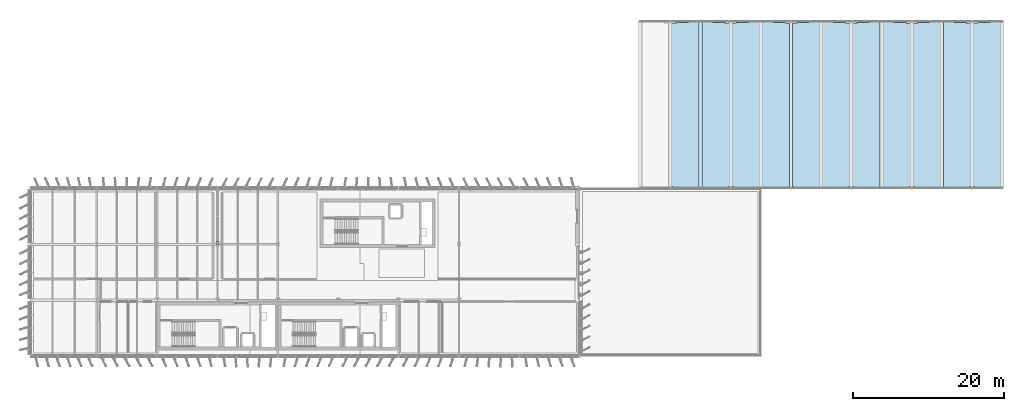
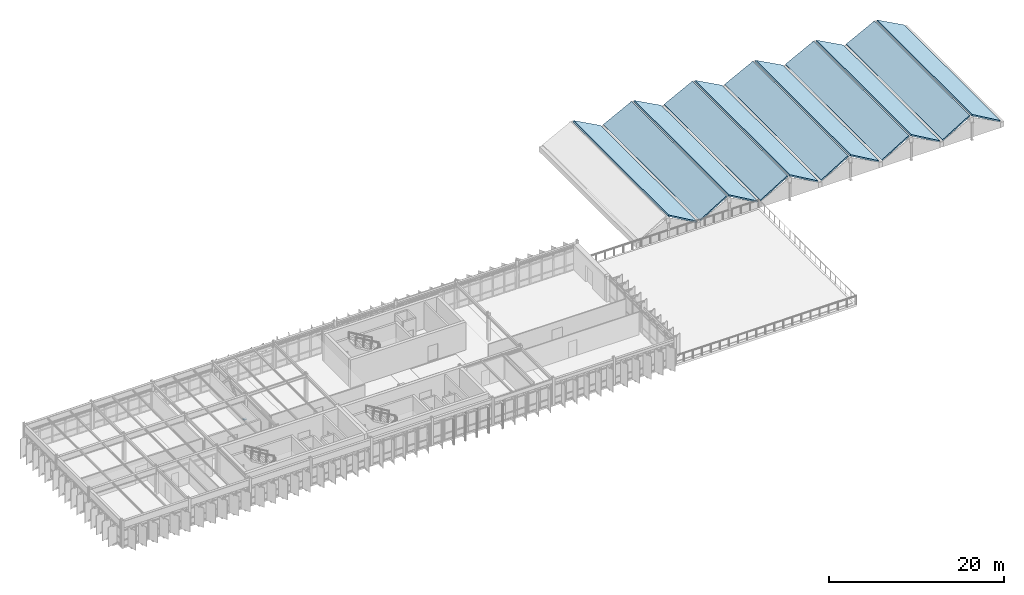
# One storey, part 24 of 35: 11 slabs, 1 plate.
"""IFC4 building model written with IfcOpenShell, lengths in metres."""

from ifc_helpers import new_model, si_unit, direction, frame, origin, origin_2d, place, context, subcontext, project, spatial, polyline, rectangle, outline, extrude, material, layer, layer_set, type_object, element, save


model = new_model("IFC4")

# Units and contexts
model_context = context("Model", 3, precision=1e-05, world=origin(), true_north=direction((0.0, 1.0)))
body_context = subcontext(model_context, "Body", "Model", "MODEL_VIEW")
ifc_project = project(units=[si_unit("LENGTHUNIT", "METRE"), si_unit("AREAUNIT", "SQUARE_METRE"), si_unit("VOLUMEUNIT", "CUBIC_METRE"), si_unit("PLANEANGLEUNIT", "RADIAN"), si_unit("MASSUNIT", "GRAM", prefix="KILO")], contexts=[model_context])

# Site, building, storey
site_placement = place(None, origin())
site = spatial("IfcSite", under=ifc_project, at=site_placement, CompositionType="ELEMENT")
building_placement = place(site_placement, origin())
building = spatial("IfcBuilding", under=site, at=building_placement, Name="Valkorina Park Police Headquarters", CompositionType="ELEMENT")
storey_placement = place(building_placement, frame((0.0, 0.0, 27.199951171875)))
storey = spatial("IfcBuildingStorey", under=building, at=storey_placement, Name="L07", CompositionType="ELEMENT", Elevation=27.199951171875)

# Plate
ifc_material_1 = material(Name="Steel S355", Category="steel")
ifc_layer_1 = layer(ifc_material_1, 0.02001953125)
ifc_layer_set_1 = layer_set([ifc_layer_1], Name="Steel S355")
plate_type = type_object("IfcPlateType", Name="PL-ENDCAP-20", PredefinedType="USERDEFINED", material=ifc_layer_set_1)
plate_placement = place(storey_placement, frame((24.800048828125, 51.9951171875, 0.090087890625), z_axis=(0.0, 0.0, 1.0), x_axis=(1.0, 0.0, 0.0)))
element("IfcPlate", 1, at=plate_placement, inside=storey, type_object=plate_type, Name="Brace Base End Cap Plate 214", ObjectType="END CAP PLATE", PredefinedType="USERDEFINED", context=body_context, shape_type="SweptSolid", body=[
    extrude(rectangle(XDim=0.3798828125, YDim=0.3798828125, at=origin_2d()), origin(), (0.0, 0.0, 1.0), 0.02001953125),
])

# Slabs
ifc_material_2 = material(Name="Concrete C35/45", Category="concrete")
ifc_layer_2 = layer(ifc_material_2, 0.18994140625)
ifc_layer_set_2 = layer_set([ifc_layer_2], Name="Concrete C35/45")
slab_type = type_object("IfcSlabType", Name="SL-FOLD-CMD-190", PredefinedType="ROOF", material=ifc_layer_set_2)
slab_1_placement = place(storey_placement, frame((84.97998046875, 59.449951171875, 2.933837890625), z_axis=(0.489555820068, 0.0, 0.871971960006), x_axis=(0.871410344251, -0.035885040333, -0.48924050917)))
element("IfcSlab", 2, at=slab_1_placement, inside=storey, type_object=slab_type, Name="V2 Command Hall Folded-Plate Roof 1E", PredefinedType="ROOF", context=body_context, shape_type="SweptSolid", body=[
    extrude(outline(polyline([(0.0, 0.0), (4.177293444777014, 0.0), (3.3878225574436387, 21.98583033951761), (-0.7787036230341395, 21.68597476548455), (0.0, 0.0)])), origin(), (0.0, 0.0, -1.0), 0.18994140625),
])
slab_2_placement = place(storey_placement, frame((88.97998046875, 59.300048828125, 0.89013671875), z_axis=(-0.489555820068, 0.0, 0.871971960006), x_axis=(0.871410344251, 0.035885040333, 0.48924050917)))
element("IfcSlab", 3, at=slab_2_placement, inside=storey, type_object=slab_type, Name="V2 Command Hall Folded-Plate Roof 2W", PredefinedType="ROOF", context=body_context, shape_type="SweptSolid", body=[
    extrude(outline(polyline([(0.0, 0.0), (4.177293444777014, 0.0), (4.955997067811153, 21.68597476548455), (0.7894708873333751, 21.98583033951761), (0.0, 0.0)])), origin(), (0.0, 0.0, -1.0), 0.18994140625),
])
slab_3_placement = place(storey_placement, frame((92.97998046875, 59.449951171875, 2.933837890625), z_axis=(0.489555820068, 0.0, 0.871971960006), x_axis=(0.871410344251, -0.035885040333, -0.48924050917)))
element("IfcSlab", 4, at=slab_3_placement, inside=storey, type_object=slab_type, Name="V2 Command Hall Folded-Plate Roof 2E", PredefinedType="ROOF", context=body_context, shape_type="SweptSolid", body=[
    extrude(outline(polyline([(0.0, 0.0), (4.177293444777014, 0.0), (3.3878225574436387, 21.98583033951761), (-0.7787036230341395, 21.68597476548455), (0.0, 0.0)])), origin(), (0.0, 0.0, -1.0), 0.18994140625),
])
slab_4_placement = place(storey_placement, frame((96.97998046875, 59.300048828125, 0.89013671875), z_axis=(-0.489555820068, 0.0, 0.871971960006), x_axis=(0.871410344251, 0.035885040333, 0.48924050917)))
element("IfcSlab", 5, at=slab_4_placement, inside=storey, type_object=slab_type, Name="V2 Command Hall Folded-Plate Roof 3W", PredefinedType="ROOF", context=body_context, shape_type="SweptSolid", body=[
    extrude(outline(polyline([(0.0, 0.0), (4.177293444777014, 0.0), (4.955997067811153, 21.68597476548455), (0.7894708873333751, 21.98583033951761), (0.0, 0.0)])), origin(), (0.0, 0.0, -1.0), 0.18994140625),
])
slab_5_placement = place(storey_placement, frame((100.97998046875, 59.449951171875, 2.933837890625), z_axis=(0.489555820068, 0.0, 0.871971960006), x_axis=(0.871410344251, -0.035885040333, -0.48924050917)))
element("IfcSlab", 6, at=slab_5_placement, inside=storey, type_object=slab_type, Name="V2 Command Hall Folded-Plate Roof 3E", PredefinedType="ROOF", context=body_context, shape_type="SweptSolid", body=[
    extrude(outline(polyline([(0.0, 0.0), (4.177293444777014, 0.0), (3.3878225574436387, 21.98583033951761), (-0.7787036230341395, 21.68597476548455), (0.0, 0.0)])), origin(), (0.0, 0.0, -1.0), 0.18994140625),
])
slab_6_placement = place(storey_placement, frame((104.97998046875, 59.300048828125, 0.89013671875), z_axis=(-0.489555820068, 0.0, 0.871971960006), x_axis=(0.871410344251, 0.035885040333, 0.48924050917)))
element("IfcSlab", 7, at=slab_6_placement, inside=storey, type_object=slab_type, Name="V2 Command Hall Folded-Plate Roof 4W", PredefinedType="ROOF", context=body_context, shape_type="SweptSolid", body=[
    extrude(outline(polyline([(0.0, 0.0), (4.177293444777014, 0.0), (4.955997067811153, 21.68597476548455), (0.7894708873333751, 21.98583033951761), (0.0, 0.0)])), origin(), (0.0, 0.0, -1.0), 0.18994140625),
])
slab_7_placement = place(storey_placement, frame((108.97998046875, 59.449951171875, 2.933837890625), z_axis=(0.489555820068, 0.0, 0.871971960006), x_axis=(0.871410344251, -0.035885040333, -0.48924050917)))
element("IfcSlab", 8, at=slab_7_placement, inside=storey, type_object=slab_type, Name="V2 Command Hall Folded-Plate Roof 4E", PredefinedType="ROOF", context=body_context, shape_type="SweptSolid", body=[
    extrude(outline(polyline([(0.0, 0.0), (4.177293444777014, 0.0), (3.3878225574436387, 21.98583033951761), (-0.7787036230341395, 21.68597476548455), (0.0, 0.0)])), origin(), (0.0, 0.0, -1.0), 0.18994140625),
])
slab_8_placement = place(storey_placement, frame((112.97998046875, 59.300048828125, 0.89013671875), z_axis=(-0.489555820068, 0.0, 0.871971960006), x_axis=(0.871410344251, 0.035885040333, 0.48924050917)))
element("IfcSlab", 9, at=slab_8_placement, inside=storey, type_object=slab_type, Name="V2 Command Hall Folded-Plate Roof 5W", PredefinedType="ROOF", context=body_context, shape_type="SweptSolid", body=[
    extrude(outline(polyline([(0.0, 0.0), (4.177293444777014, 0.0), (4.955997067811153, 21.68597476548455), (0.7894708873333751, 21.98583033951761), (0.0, 0.0)])), origin(), (0.0, 0.0, -1.0), 0.18994140625),
])
slab_9_placement = place(storey_placement, frame((116.97998046875, 59.449951171875, 2.933837890625), z_axis=(0.489555820068, 0.0, 0.871971960006), x_axis=(0.871410344251, -0.035885040333, -0.48924050917)))
element("IfcSlab", 10, at=slab_9_placement, inside=storey, type_object=slab_type, Name="V2 Command Hall Folded-Plate Roof 5E", PredefinedType="ROOF", context=body_context, shape_type="SweptSolid", body=[
    extrude(outline(polyline([(0.0, 0.0), (4.177293444777014, 0.0), (3.3878225574436387, 21.98583033951761), (-0.7787036230341395, 21.68597476548455), (0.0, 0.0)])), origin(), (0.0, 0.0, -1.0), 0.18994140625),
])
slab_10_placement = place(storey_placement, frame((120.97998046875, 59.300048828125, 0.89013671875), z_axis=(-0.489555820068, 0.0, 0.871971960006), x_axis=(0.871410344251, 0.035885040333, 0.48924050917)))
element("IfcSlab", 11, at=slab_10_placement, inside=storey, type_object=slab_type, Name="V2 Command Hall Folded-Plate Roof 6W", PredefinedType="ROOF", context=body_context, shape_type="SweptSolid", body=[
    extrude(outline(polyline([(0.0, 0.0), (4.177293444777014, 0.0), (4.955997067811153, 21.68597476548455), (0.7894708873333751, 21.98583033951761), (0.0, 0.0)])), origin(), (0.0, 0.0, -1.0), 0.18994140625),
])
slab_11_placement = place(storey_placement, frame((124.97998046875, 59.449951171875, 2.933837890625), z_axis=(0.489555820068, 0.0, 0.871971960006), x_axis=(0.871410344251, -0.035885040333, -0.48924050917)))
element("IfcSlab", 12, at=slab_11_placement, inside=storey, type_object=slab_type, Name="V2 Command Hall Folded-Plate Roof 6E", PredefinedType="ROOF", context=body_context, shape_type="SweptSolid", body=[
    extrude(outline(polyline([(0.0, 0.0), (4.177293444777014, 0.0), (3.3878225574436387, 21.98583033951761), (-0.7787036230341395, 21.68597476548455), (0.0, 0.0)])), origin(), (0.0, 0.0, -1.0), 0.18994140625),
])

save(model, "model.ifc")
